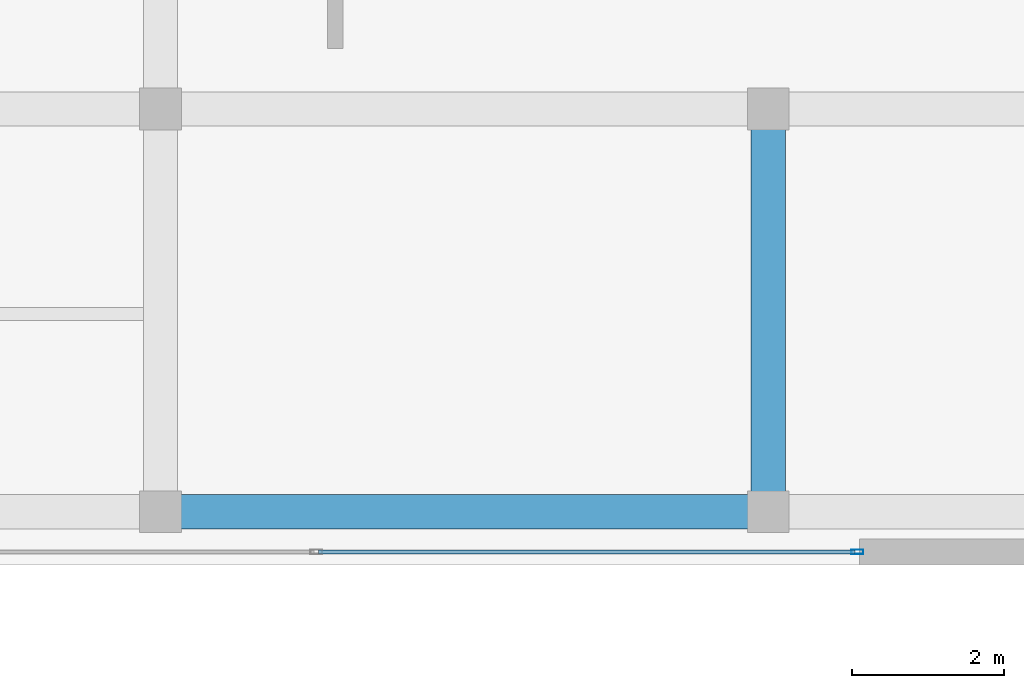
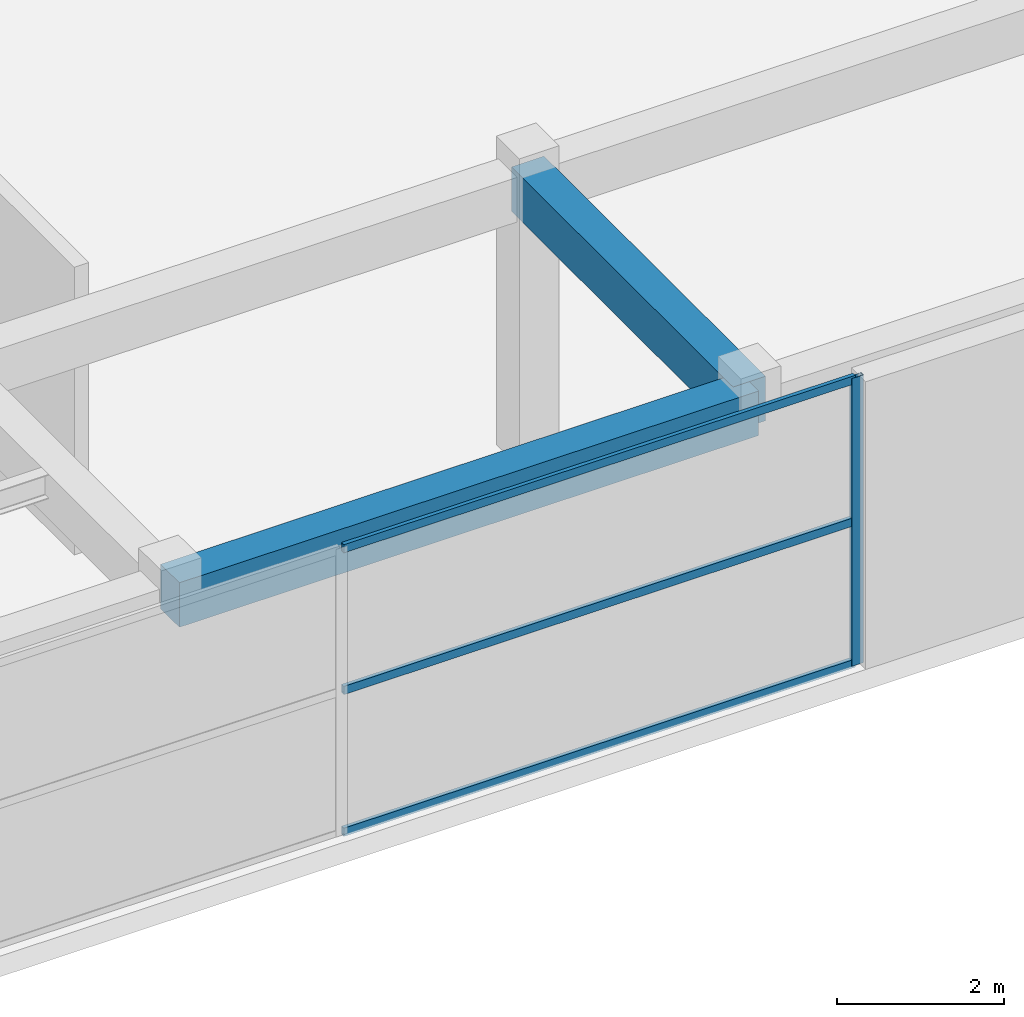
# One storey, part 12 of 26: 4 members, 2 beams, 1 element without a shape of its own.
"""IFC4 building model written with IfcOpenShell, lengths in metres."""

from ifc_helpers import new_model, si_unit, direction, frame, origin, origin_2d, place, context, subcontext, project, spatial, rectangle, hollow_rectangle, extrude, source, transform, mapped, material, layer, layer_set, material_profile, profile_set, type_object, element, aggregate, save


model = new_model("IFC4")

# Units and contexts
model_context = context("Model", 3, precision=1e-05, world=origin(), true_north=direction((0.0, 1.0)))
body_context = subcontext(model_context, "Body", "Model", "MODEL_VIEW")
ifc_project = project(units=[si_unit("LENGTHUNIT", "METRE"), si_unit("AREAUNIT", "SQUARE_METRE"), si_unit("VOLUMEUNIT", "CUBIC_METRE"), si_unit("PLANEANGLEUNIT", "RADIAN"), si_unit("MASSUNIT", "GRAM", prefix="KILO")], contexts=[model_context])

# Site, building, storey
site_placement = place(None, origin())
site = spatial("IfcSite", under=ifc_project, at=site_placement, CompositionType="ELEMENT")
building_placement = place(site_placement, origin())
building = spatial("IfcBuilding", under=site, at=building_placement, Name="Khoralis Quay Care Tower", CompositionType="ELEMENT")
storey_placement = place(building_placement, frame((0.0, 0.0, 13.5)))
storey = spatial("IfcBuildingStorey", under=building, at=storey_placement, Name="L03", CompositionType="ELEMENT", Elevation=13.5)

# Beams
ifc_material_1 = material(Name="Concrete C40/50", Category="concrete")
ifc_material_profile_1 = material_profile(ifc_material_1, rectangle(XDim=0.449951171875, YDim=0.64990234375, at=origin_2d()), Name="Concrete C40/50")
ifc_profile_set_1 = profile_set([ifc_material_profile_1], Name="Concrete C40/50")
beam_type = type_object("IfcBeamType", Name="BM-RC450X650", PredefinedType="BEAM", material=ifc_profile_set_1)
shared_shape_1 = source(origin(), body_context, "Body", "SweptSolid", [
    extrude(rectangle(XDim=0.449951171875, YDim=0.64990234375, at=origin_2d()), origin(), (0.0, 0.0, 1.0), 8.0),
])
beam_1_placement = place(storey_placement, frame((84.0, 6.699951171875, 3.875), z_axis=(1.0, 0.0, 0.0), x_axis=(0.0, 1.0, 0.0)))
element("IfcBeam", 1, at=beam_1_placement, inside=storey, type_object=beam_type, Name="BM-SCX-L03-03", PredefinedType="BEAM", context=body_context, shape_type="MappedRepresentation", body=[
    mapped(shared_shape_1, transform((0.0, 0.0, 0.0), scale=1.0)),
])
shared_shape_2 = source(origin(), body_context, "Body", "SweptSolid", [
    extrude(rectangle(XDim=0.449951171875, YDim=0.64990234375, at=origin_2d()), origin(), (0.0, 0.0, 1.0), 5.300048828125),
])
beam_2_placement = place(storey_placement, frame((92.0, 6.699951171875, 3.875), z_axis=(0.0, 1.0, 0.0), x_axis=(-1.0, 0.0, 0.0)))
element("IfcBeam", 2, at=beam_2_placement, inside=storey, type_object=beam_type, Name="BM-SCY-L03-42", PredefinedType="BEAM", context=body_context, shape_type="MappedRepresentation", body=[
    mapped(shared_shape_2, transform((0.0, 0.0, 0.0), scale=1.0)),
])

# Curtain wall, members
ifc_material_2 = material(Name="Pale anodised aluminium", Category="aluminium")
ifc_layer = layer(ifc_material_2, 0.14990234375)
ifc_layer_set = layer_set([ifc_layer], Name="Pale anodised aluminium")
curtain_wall_type = type_object("IfcCurtainWallType", Name="CW-SYS-SCHOOL", PredefinedType="NOTDEFINED", material=ifc_layer_set)
curtain_wall_placement = place(storey_placement, origin())
curtain_wall = element("IfcCurtainWall", 3, at=curtain_wall_placement, inside=storey, type_object=curtain_wall_type, Name="L03 Unitised Curtain Wall CW-SCH-L03-E0", PredefinedType="NOTDEFINED")
ifc_material_profile_2 = material_profile(ifc_material_2, hollow_rectangle(XDim=0.06005859375, YDim=0.159912109375, WallThickness=0.00390625, at=origin_2d()), Name="Pale anodised aluminium")
ifc_profile_set_2 = profile_set([ifc_material_profile_2], Name="Pale anodised aluminium")
member_type_1 = type_object("IfcMemberType", Name="CW-MUL-160", PredefinedType="MULLION", material=ifc_profile_set_2)
shared_shape_3 = source(origin(), body_context, "Body", "SweptSolid", [
    extrude(hollow_rectangle(XDim=0.06005859375, YDim=0.159912109375, WallThickness=0.00390625, at=origin_2d()), origin(), (0.0, 0.0, 1.0), 4.199951171875),
])
member_1_placement = place(storey_placement, frame((93.172119140625, 6.169921875, 0.0), z_axis=(0.0, 0.0, 1.0), x_axis=(0.0, 1.0, 0.0)))
member_1 = element("IfcMember", 4, at=member_1_placement, type_object=member_type_1, Name="CW6 mullion 3", PredefinedType="MULLION", context=body_context, shape_type="MappedRepresentation", body=[
    mapped(shared_shape_3, transform((0.0, 0.0, 0.0), scale=1.0)),
])
ifc_material_profile_3 = material_profile(ifc_material_2, hollow_rectangle(XDim=0.054931640625, YDim=0.1201171875, WallThickness=0.00390625, at=origin_2d()), Name="Pale anodised aluminium")
ifc_profile_set_3 = profile_set([ifc_material_profile_3], Name="Pale anodised aluminium")
member_type_2 = type_object("IfcMemberType", Name="CW-TRN-120", PredefinedType="USERDEFINED", material=ifc_profile_set_3)
shared_shape_4 = source(origin(), body_context, "Body", "SweptSolid", [
    extrude(hollow_rectangle(XDim=0.054931640625, YDim=0.1201171875, WallThickness=0.00390625, at=origin_2d()), origin(), (0.0, 0.0, 1.0), 7.06201171875),
])
member_2_placement = place(storey_placement, frame((86.080078125, 6.169921875, 0.030029296875), z_axis=(1.0, 0.0, 0.0), x_axis=(0.0, 1.0, 0.0)))
member_2 = element("IfcMember", 5, at=member_2_placement, type_object=member_type_2, Name="CW6 transom 2.1", ObjectType="TRANSOM", PredefinedType="USERDEFINED", context=body_context, shape_type="MappedRepresentation", body=[
    mapped(shared_shape_4, transform((0.0, 0.0, 0.0), scale=1.0)),
])
member_3_placement = place(storey_placement, frame((86.080078125, 6.169921875, 2.10009765625), z_axis=(1.0, 0.0, 0.0), x_axis=(0.0, 1.0, 0.0)))
member_3 = element("IfcMember", 6, at=member_3_placement, type_object=member_type_2, Name="CW6 transom 2.2", ObjectType="TRANSOM", PredefinedType="USERDEFINED", context=body_context, shape_type="MappedRepresentation", body=[
    mapped(shared_shape_4, transform((0.0, 0.0, 0.0), scale=1.0)),
])
member_4_placement = place(storey_placement, frame((86.080078125, 6.169921875, 4.169921875), z_axis=(1.0, 0.0, 0.0), x_axis=(0.0, 1.0, 0.0)))
member_4 = element("IfcMember", 7, at=member_4_placement, type_object=member_type_2, Name="CW6 transom 2.3", ObjectType="TRANSOM", PredefinedType="USERDEFINED", context=body_context, shape_type="MappedRepresentation", body=[
    mapped(shared_shape_4, transform((0.0, 0.0, 0.0), scale=1.0)),
])
aggregate(curtain_wall, [member_1, member_2, member_3, member_4])

save(model, "model.ifc")
